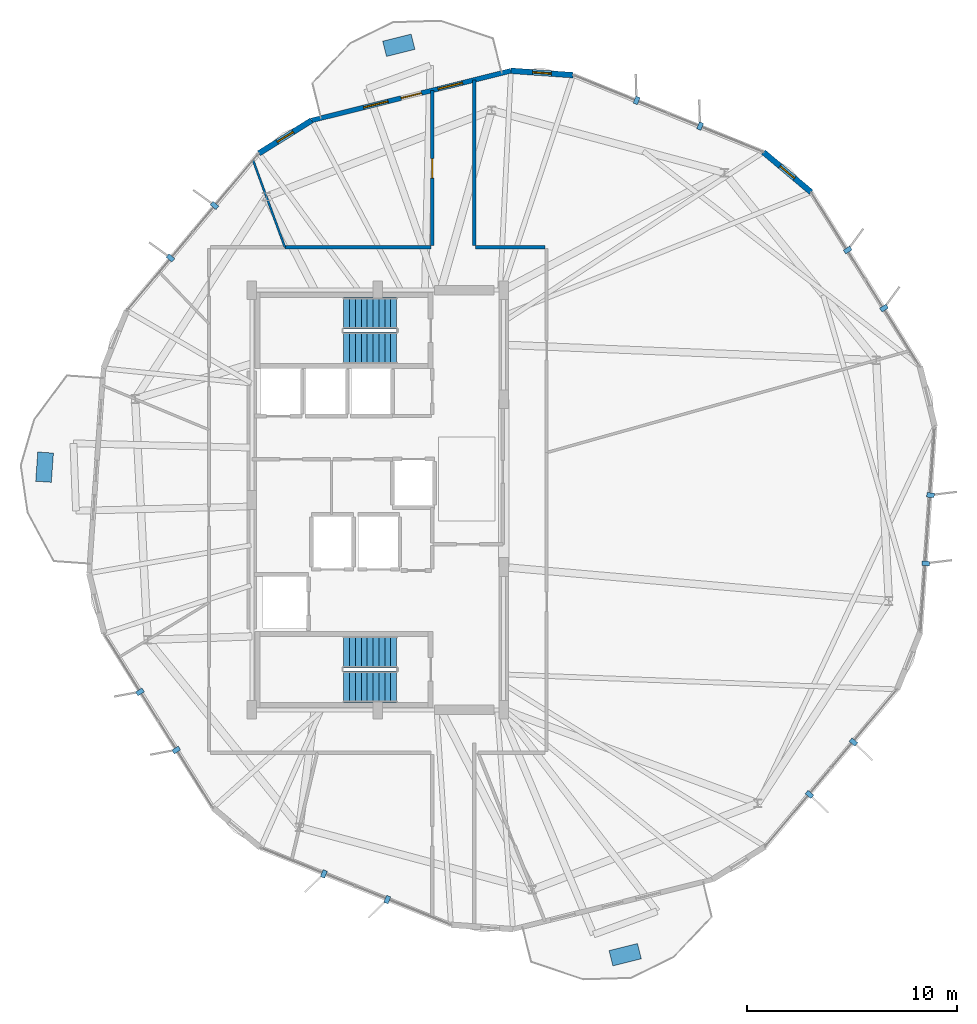
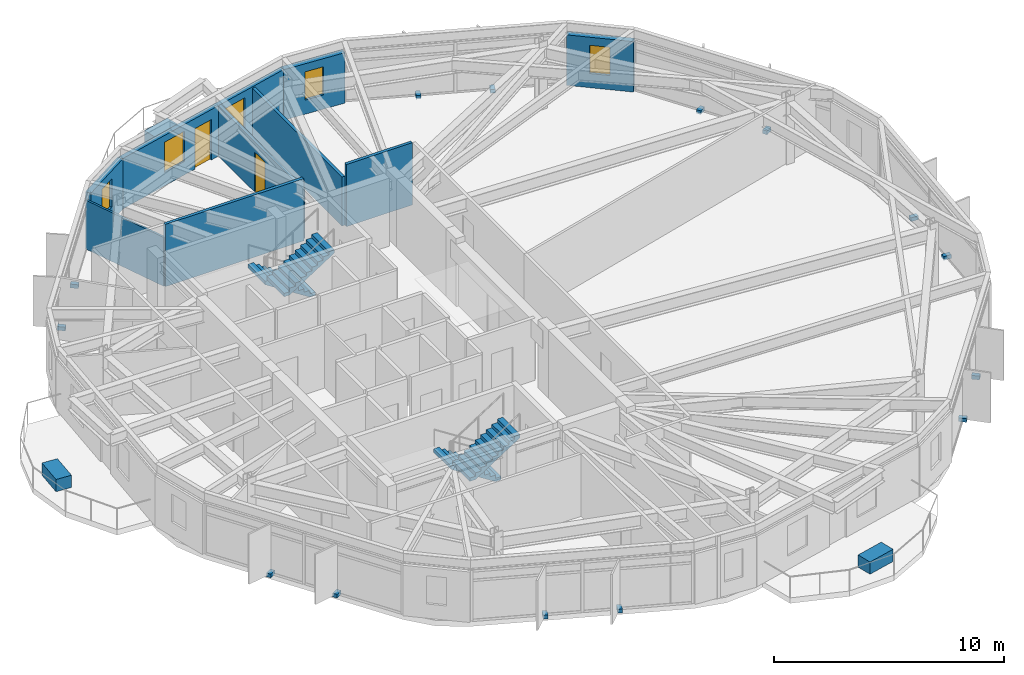
# One storey, part 20 of 23: 17 discrete accessories, 9 walls, 5 windows, 4 stair flights, 2 doors, 7 openings, 2 elements without a shape of their own.
"""IFC4 building model written with IfcOpenShell, lengths in metres."""

from ifc_helpers import new_model, si_unit, direction, frame, frame_2d, origin, origin_2d, place, context, subcontext, project, spatial, polyline, rectangle, outline, extrude, material, layer, layer_set, type_object, element, fill, aggregate, save


model = new_model("IFC4")

# Units and contexts
model_context = context("Model", 3, precision=1e-05, world=origin(), true_north=direction((0.0, 1.0)))
body_context = subcontext(model_context, "Body", "Model", "MODEL_VIEW")
ifc_project = project(units=[si_unit("LENGTHUNIT", "METRE"), si_unit("AREAUNIT", "SQUARE_METRE"), si_unit("VOLUMEUNIT", "CUBIC_METRE"), si_unit("PLANEANGLEUNIT", "RADIAN"), si_unit("MASSUNIT", "GRAM", prefix="KILO")], contexts=[model_context])

# Site, building, storey
site_placement = place(None, origin())
site = spatial("IfcSite", under=ifc_project, at=site_placement, CompositionType="ELEMENT")
building_placement = place(site_placement, origin())
building = spatial("IfcBuilding", under=site, at=building_placement, Name="Soratama Intermodal Tower", CompositionType="ELEMENT")
storey_placement = place(building_placement, frame((0.0, 0.0, 215.800048828125)))
storey = spatial("IfcBuildingStorey", under=building, at=storey_placement, Name="L54", CompositionType="ELEMENT", Elevation=215.800048828125)

# Wall, openings, door, windows
ifc_material_1 = material(Name="Concrete f'c 42 MPa", Category="concrete")
ifc_layer_1 = layer(ifc_material_1, 0.22998046875)
ifc_layer_set_1 = layer_set([ifc_layer_1], Name="Concrete f'c 42 MPa")
wall_type_1 = type_object("IfcWallType", Name="EW-BAL-230", PredefinedType="SOLIDWALL", material=ifc_layer_set_1)
wall_1_placement = place(storey_placement, frame((44.950927734375, 45.460205078125, 0.0), z_axis=(0.0, 0.0, 1.0), x_axis=(-0.970379664845, -0.241584987229, 0.0)))
wall_1 = element("IfcWall", 1, at=wall_1_placement, inside=storey, type_object=wall_type_1, Name="L54 Terrace Wall F02", PredefinedType="SOLIDWALL", context=body_context, shape_type="SweptSolid", body=[
    extrude(rectangle(XDim=9.79052734375, YDim=0.22998046875, at=frame_2d((4.895263671875, 0.0))), origin(), (0.0, 0.0, 1.0), 2.678955078125),
])
opening_1_placement = place(wall_1_placement, frame((4.395263671875, 0.0, 0.0)))
opening_1 = element("IfcOpeningElement", 2, at=opening_1_placement, cuts=wall_1, Name="Opening ED-2", PredefinedType="OPENING", context=body_context, shape_type="SweptSolid", body=[
    extrude(rectangle(XDim=1.0, YDim=2.14990234375, at=frame_2d((0.5, 1.074951171875))), frame((0.0, 0.125, 0.0), z_axis=(0.0, -1.0, 0.0), x_axis=(1.0, 0.0, 0.0)), (0.0, 0.0, 1.0), 0.25),
])
opening_2_placement = place(wall_1_placement, frame((2.37890625, 0.0, 0.719970703125)))
opening_2 = element("IfcOpeningElement", 3, at=opening_2_placement, cuts=wall_1, Name="Opening WN-2", PredefinedType="OPENING", context=body_context, shape_type="SweptSolid", body=[
    extrude(rectangle(XDim=1.199951171875, YDim=1.60009765625, at=frame_2d((0.60009765625, 0.800048828125))), frame((0.0, 0.125, 0.0), z_axis=(0.0, -1.0, 0.0), x_axis=(1.0, 0.0, 0.0)), (0.0, 0.0, 1.0), 0.25),
])
opening_3_placement = place(wall_1_placement, frame((6.03515625, 0.0, 0.719970703125)))
opening_3 = element("IfcOpeningElement", 4, at=opening_3_placement, cuts=wall_1, Name="Opening WN-2", PredefinedType="OPENING", context=body_context, shape_type="SweptSolid", body=[
    extrude(rectangle(XDim=1.199951171875, YDim=1.60009765625, at=frame_2d((0.60009765625, 0.800048828125))), frame((0.0, 0.125, 0.0), z_axis=(0.0, -1.0, 0.0), x_axis=(1.0, 0.0, 0.0)), (0.0, 0.0, 1.0), 0.25),
])
ifc_material_2 = material(Name="Double-glazed aluminium door", Category="aluminium")
door_type_1 = type_object("IfcDoorType", Name="DR-BAL-1000", OperationType="NOTDEFINED", PredefinedType="DOOR", material=ifc_material_2)
door_1_placement = place(opening_1_placement, origin())
door_1 = element("IfcDoor", 5, at=door_1_placement, inside=storey, type_object=door_type_1, Name="L54 Balcony Door F02", OperationType="SINGLE_SWING_RIGHT", OverallHeight=2.14990234375, OverallWidth=1.0, PredefinedType="DOOR", context=body_context, shape_type="SweptSolid", body=[
    extrude(rectangle(XDim=1.0, YDim=2.14990234375, at=frame_2d((0.5, 1.074951171875))), frame((0.0, 0.02490234375, 0.0), z_axis=(0.0, -1.0, 0.0), x_axis=(1.0, 0.0, 0.0)), (0.0, 0.0, 1.0), 0.050048828125),
])
fill(opening_1, door_1)
ifc_material_3 = material(Name="Double-glazed aluminium window", Category="aluminium")
window_type_1 = type_object("IfcWindowType", Name="WN-FAC-1200", PartitioningType="SINGLE_PANEL", PredefinedType="WINDOW", material=ifc_material_3)
window_1_placement = place(opening_2_placement, origin())
window_1 = element("IfcWindow", 6, at=window_1_placement, inside=storey, type_object=window_type_1, Name="L54 Window A F02", OverallHeight=1.60009765625, OverallWidth=1.199951171875, PartitioningType="SINGLE_PANEL", PredefinedType="WINDOW", context=body_context, shape_type="SweptSolid", body=[
    extrude(rectangle(XDim=1.199951171875, YDim=1.60009765625, at=frame_2d((0.60009765625, 0.800048828125))), frame((0.0, 0.030029296875, 0.0), z_axis=(0.0, -1.0, 0.0), x_axis=(1.0, 0.0, 0.0)), (0.0, 0.0, 1.0), 0.06005859375),
])
fill(opening_2, window_1)
window_2_placement = place(opening_3_placement, origin())
window_2 = element("IfcWindow", 7, at=window_2_placement, inside=storey, type_object=window_type_1, Name="L54 Window B F02", OverallHeight=1.60009765625, OverallWidth=1.199951171875, PartitioningType="SINGLE_PANEL", PredefinedType="WINDOW", context=body_context, shape_type="SweptSolid", body=[
    extrude(rectangle(XDim=1.199951171875, YDim=1.60009765625, at=frame_2d((0.60009765625, 0.800048828125))), frame((0.0, 0.030029296875, 0.0), z_axis=(0.0, -1.0, 0.0), x_axis=(1.0, 0.0, 0.0)), (0.0, 0.0, 1.0), 0.06005859375),
])
fill(opening_3, window_2)

# Wall, opening, window
ifc_material_4 = material(Name="Concrete f'c 42 MPa", Category="concrete")
ifc_layer_2 = layer(ifc_material_4, 0.27001953125)
ifc_layer_set_2 = layer_set([ifc_layer_2], Name="Concrete f'c 42 MPa")
wall_type_2 = type_object("IfcWallType", Name="EW-CRN-270", PredefinedType="SOLIDWALL", material=ifc_layer_set_2)
wall_2_placement = place(storey_placement, frame((47.91015625, 45.252197265625, 0.0), z_axis=(0.0, 0.0, 1.0), x_axis=(-0.997538688481, 0.070118221482, 0.0)))
wall_2 = element("IfcWall", 8, at=wall_2_placement, inside=storey, type_object=wall_type_2, Name="L54 Corner Closure Wall 01", PredefinedType="SOLIDWALL", context=body_context, shape_type="SweptSolid", body=[
    extrude(rectangle(XDim=2.966552734375, YDim=0.27001953125, at=frame_2d((1.4833984375, 0.0))), origin(), (0.0, 0.0, 1.0), 2.678955078125),
])
opening_4_placement = place(wall_2_placement, frame((1.033203125, 0.0, 0.75)))
opening_4 = element("IfcOpeningElement", 9, at=opening_4_placement, cuts=wall_2, Name="Opening WN-6", PredefinedType="OPENING", context=body_context, shape_type="SweptSolid", body=[
    extrude(rectangle(XDim=0.89990234375, YDim=1.5, at=frame_2d((0.449951171875, 0.75))), frame((0.0, 0.14501953125, 0.0), z_axis=(0.0, -1.0, 0.0), x_axis=(1.0, 0.0, 0.0)), (0.0, 0.0, 1.0), 0.2900390625),
])
ifc_material_5 = material(Name="Double-glazed aluminium window", Category="aluminium")
window_type_2 = type_object("IfcWindowType", Name="WN-FAC-900", PartitioningType="SINGLE_PANEL", PredefinedType="WINDOW", material=ifc_material_5)
window_3_placement = place(opening_4_placement, origin())
window_3 = element("IfcWindow", 10, at=window_3_placement, inside=storey, type_object=window_type_2, Name="L54 Corner Window 01", OverallHeight=1.5, OverallWidth=0.89990234375, PartitioningType="SINGLE_PANEL", PredefinedType="WINDOW", context=body_context, shape_type="SweptSolid", body=[
    extrude(rectangle(XDim=0.89990234375, YDim=1.5, at=frame_2d((0.449951171875, 0.75))), frame((0.0, 0.030029296875, 0.0), z_axis=(0.0, -1.0, 0.0), x_axis=(1.0, 0.0, 0.0)), (0.0, 0.0, 1.0), 0.06005859375),
])
fill(opening_4, window_3)

wall_3_placement = place(storey_placement, frame((35.450439453125, 43.094970703125, 0.0), z_axis=(0.0, 0.0, 1.0), x_axis=(-0.848215528767, -0.529651221805, 0.0)))
wall_3 = element("IfcWall", 11, at=wall_3_placement, inside=storey, type_object=wall_type_2, Name="L54 Corner Closure Wall 02", PredefinedType="SOLIDWALL", context=body_context, shape_type="SweptSolid", body=[
    extrude(rectangle(XDim=2.966552734375, YDim=0.27001953125, at=frame_2d((1.4833984375, 0.0))), origin(), (0.0, 0.0, 1.0), 2.678955078125),
])
opening_5_placement = place(wall_3_placement, frame((1.033203125, 0.0, 0.75)))
opening_5 = element("IfcOpeningElement", 12, at=opening_5_placement, cuts=wall_3, Name="Opening WN-6", PredefinedType="OPENING", context=body_context, shape_type="SweptSolid", body=[
    extrude(rectangle(XDim=0.89990234375, YDim=1.5, at=frame_2d((0.449951171875, 0.75))), frame((0.0, 0.14501953125, 0.0), z_axis=(0.0, -1.0, 0.0), x_axis=(1.0, 0.0, 0.0)), (0.0, 0.0, 1.0), 0.2900390625),
])
window_4_placement = place(opening_5_placement, origin())
window_4 = element("IfcWindow", 13, at=window_4_placement, inside=storey, type_object=window_type_2, Name="L54 Corner Window 02", OverallHeight=1.5, OverallWidth=0.89990234375, PartitioningType="SINGLE_PANEL", PredefinedType="WINDOW", context=body_context, shape_type="SweptSolid", body=[
    extrude(rectangle(XDim=0.89990234375, YDim=1.5, at=frame_2d((0.449951171875, 0.75))), frame((0.0, 0.030029296875, 0.0), z_axis=(0.0, -1.0, 0.0), x_axis=(1.0, 0.0, 0.0)), (0.0, 0.0, 1.0), 0.06005859375),
])
fill(opening_5, window_4)

wall_4_placement = place(storey_placement, frame((59.25830078125, 39.673828125, 0.0), z_axis=(0.0, 0.0, 1.0), x_axis=(-0.765834558383, 0.643037657673, 0.0)))
wall_4 = element("IfcWall", 14, at=wall_4_placement, inside=storey, type_object=wall_type_2, Name="L54 Corner Closure Wall 10", PredefinedType="SOLIDWALL", context=body_context, shape_type="SweptSolid", body=[
    extrude(rectangle(XDim=2.96630859375, YDim=0.27001953125, at=frame_2d((1.483154296875, 0.0))), origin(), (0.0, 0.0, 1.0), 2.678955078125),
])
opening_6_placement = place(wall_4_placement, frame((1.033203125, 0.0, 0.75)))
opening_6 = element("IfcOpeningElement", 15, at=opening_6_placement, cuts=wall_4, Name="Opening WN-6", PredefinedType="OPENING", context=body_context, shape_type="SweptSolid", body=[
    extrude(rectangle(XDim=0.89990234375, YDim=1.5, at=frame_2d((0.449951171875, 0.75))), frame((0.0, 0.14501953125, 0.0), z_axis=(0.0, -1.0, 0.0), x_axis=(1.0, 0.0, 0.0)), (0.0, 0.0, 1.0), 0.2900390625),
])
window_5_placement = place(opening_6_placement, origin())
window_5 = element("IfcWindow", 16, at=window_5_placement, inside=storey, type_object=window_type_2, Name="L54 Corner Window 10", OverallHeight=1.5, OverallWidth=0.89990234375, PartitioningType="SINGLE_PANEL", PredefinedType="WINDOW", context=body_context, shape_type="SweptSolid", body=[
    extrude(rectangle(XDim=0.89990234375, YDim=1.5, at=frame_2d((0.449951171875, 0.75))), frame((0.0, 0.030029296875, 0.0), z_axis=(0.0, -1.0, 0.0), x_axis=(1.0, 0.0, 0.0)), (0.0, 0.0, 1.0), 0.06005859375),
])
fill(opening_6, window_5)

# Wall
ifc_material_6 = material(Name="Fire-rated gypsum stud partition", Category="concrete")
ifc_layer_3 = layer(ifc_material_6, 0.14990234375)
ifc_layer_set_3 = layer_set([ifc_layer_3], Name="Fire-rated gypsum stud partition")
wall_type_3 = type_object("IfcWallType", Name="IW-PART-R150", PredefinedType="PARTITIONING", material=ifc_layer_set_3)
wall_5_placement = place(storey_placement, frame((43.199951171875, 45.02392578125, 0.0), z_axis=(0.0, 0.0, 1.0), x_axis=(0.0, -1.0, 0.0)))
element("IfcWall", 17, at=wall_5_placement, inside=storey, type_object=wall_type_3, Name="L54 Partition W-L54-TP006", PredefinedType="PARTITIONING", context=body_context, shape_type="SweptSolid", body=[
    extrude(rectangle(XDim=7.90380859375, YDim=0.14990234375, at=frame_2d((3.951904296875, 0.0))), origin(), (0.0, 0.0, 1.0), 2.594970703125),
])

# Wall, opening, door
wall_6_placement = place(storey_placement, frame((41.199951171875, 37.1201171875, 0.0), z_axis=(0.0, 0.0, 1.0), x_axis=(0.0, 1.0, 0.0)))
wall_6 = element("IfcWall", 18, at=wall_6_placement, inside=storey, type_object=wall_type_3, Name="L54 Partition W-L54-TP008", PredefinedType="PARTITIONING", context=body_context, shape_type="SweptSolid", body=[
    extrude(rectangle(XDim=7.40576171875, YDim=0.14990234375, at=frame_2d((3.702880859375, 0.0))), origin(), (0.0, 0.0, 1.0), 2.674072265625),
])
opening_7_placement = place(wall_6_placement, frame((3.22802734375, 0.0, 0.0)))
opening_7 = element("IfcOpeningElement", 19, at=opening_7_placement, cuts=wall_6, Name="Opening ID-6", PredefinedType="OPENING", context=body_context, shape_type="SweptSolid", body=[
    extrude(rectangle(XDim=0.919921875, YDim=2.1201171875, at=frame_2d((0.4599609375, 1.06005859375))), frame((0.0, 0.0849609375, 0.0), z_axis=(0.0, -1.0, 0.0), x_axis=(1.0, 0.0, 0.0)), (0.0, 0.0, 1.0), 0.169921875),
])
ifc_material_7 = material(Name="Solid hardwood acoustic door", Category="wood")
door_type_2 = type_object("IfcDoorType", Name="DR-ROOM-920", OperationType="NOTDEFINED", PredefinedType="DOOR", material=ifc_material_7)
door_2_placement = place(opening_7_placement, origin())
door_2 = element("IfcDoor", 20, at=door_2_placement, inside=storey, type_object=door_type_2, Name="L54 Door D-L54-TP005", OperationType="SINGLE_SWING_RIGHT", OverallHeight=2.1201171875, OverallWidth=0.919921875, PredefinedType="DOOR", context=body_context, shape_type="SweptSolid", body=[
    extrude(rectangle(XDim=0.919921875, YDim=2.1201171875, at=frame_2d((0.4599609375, 1.06005859375))), frame((0.0, 0.02490234375, 0.0), z_axis=(0.0, -1.0, 0.0), x_axis=(1.0, 0.0, 0.0)), (0.0, 0.0, 1.0), 0.050048828125),
])
fill(opening_7, door_2)

# Walls
wall_7_placement = place(storey_placement, frame((34.177001953125, 37.050048828125, 0.0), z_axis=(0.0, 0.0, 1.0), x_axis=(1.0, 0.0, 0.0)))
element("IfcWall", 21, at=wall_7_placement, inside=storey, type_object=wall_type_3, Name="L54 Partition W-L54-TP010", PredefinedType="PARTITIONING", context=body_context, shape_type="SweptSolid", body=[
    extrude(rectangle(XDim=6.952880859375, YDim=0.14990234375, at=frame_2d((3.4765625, 0.0))), origin(), (0.0, 0.0, 1.0), 3.300048828125),
])
wall_8_placement = place(storey_placement, frame((43.27001953125, 37.050048828125, 0.0), z_axis=(0.0, 0.0, 1.0), x_axis=(1.0, 0.0, 0.0)))
element("IfcWall", 22, at=wall_8_placement, inside=storey, type_object=wall_type_3, Name="L54 Partition W-L54-TP024", PredefinedType="PARTITIONING", context=body_context, shape_type="SweptSolid", body=[
    extrude(rectangle(XDim=3.31005859375, YDim=0.14990234375, at=frame_2d((1.655029296875, 0.0))), origin(), (0.0, 0.0, 1.0), 3.300048828125),
])
ifc_material_8 = material(Name="Fire-rated gypsum stud partition", Category="concrete")
ifc_layer_4 = layer(ifc_material_8, 0.10009765625)
ifc_layer_set_4 = layer_set([ifc_layer_4], Name="Fire-rated gypsum stud partition")
wall_type_4 = type_object("IfcWallType", Name="IW-PART-S100", PredefinedType="PARTITIONING", material=ifc_layer_set_4)
wall_9_placement = place(storey_placement, frame((34.177001953125, 37.050048828125, 0.0), z_axis=(0.0, 0.0, 1.0), x_axis=(-0.3443619088, 0.9388369804, 0.0)))
element("IfcWall", 23, at=wall_9_placement, inside=storey, type_object=wall_type_4, Name="L54 Partition W-L54-TP018", PredefinedType="PARTITIONING", context=body_context, shape_type="SweptSolid", body=[
    extrude(rectangle(XDim=4.4140625, YDim=0.10009765625, at=frame_2d((2.20703125, 0.0))), origin(), (0.0, 0.0, 1.0), 2.594970703125),
])

# Stair, stair flights
ifc_material_9 = material(Name="Concrete f'c 42 MPa", Category="concrete")
stair_type = type_object("IfcStairType", Name="ST-CORE-DOGLEG", PredefinedType="HALF_TURN_STAIR", material=ifc_material_9)
stair_1_placement = place(storey_placement, origin())
stair_1 = element("IfcStair", 24, at=stair_1_placement, inside=storey, type_object=stair_type, Name="L54 ST-1", PredefinedType="HALF_TURN_STAIR")
ifc_material_10 = material(Name="Precast concrete f'c 40 MPa", Category="concrete")
ifc_layer_5 = layer(ifc_material_10, 0.199951171875)
ifc_layer_set_5 = layer_set([ifc_layer_5], Name="Precast concrete f'c 40 MPa")
stair_flight_type = type_object("IfcStairFlightType", Name="SF-FLIGHT-RC", PredefinedType="STRAIGHT", material=ifc_layer_set_5)
stair_flight_1_placement = place(storey_placement, frame((39.5, 17.75, 0.0), z_axis=(0.0, 0.0, 1.0), x_axis=(-1.0, 0.0, 0.0)))
stair_flight_1 = element("IfcStairFlight", 25, at=stair_flight_1_placement, type_object=stair_flight_type, Name="ST-1 flight 1", NumberOfRisers=10, NumberOfTreads=9, PredefinedType="STRAIGHT", RiserHeight=0.18, TreadLength=0.28, context=body_context, shape_type="SweptSolid", body=[
    extrude(outline(polyline([(0.0, 0.0), (0.0, 0.179931640625), (0.280029296875, 0.179931640625), (0.280029296875, 0.360107421875), (0.56005859375, 0.360107421875), (0.56005859375, 0.5400390625), (0.840087890625, 0.5400390625), (0.840087890625, 0.719970703125), (1.1201171875, 0.719970703125), (1.1201171875, 0.89990234375), (1.39990234375, 0.89990234375), (1.39990234375, 1.080078125), (1.679931640625, 1.080078125), (1.679931640625, 1.260009765625), (1.9599609375, 1.260009765625), (1.9599609375, 1.43994140625), (2.239990234375, 1.43994140625), (2.239990234375, 1.6201171875), (2.52001953125, 1.6201171875), (2.52001953125, 1.800048828125), (2.52001953125, 1.44189453125), (0.277099609375, 0.0), (0.0, 0.0)])), frame((0.0, 0.75, 0.0), z_axis=(0.0, -1.0, 0.0), x_axis=(1.0, 0.0, 0.0)), (0.0, 0.0, 1.0), 1.5),
])
stair_flight_2_placement = place(storey_placement, frame((36.97998046875, 16.10009765625, 1.800048828125), z_axis=(0.0, 0.0, 1.0), x_axis=(1.0, 0.0, 0.0)))
stair_flight_2 = element("IfcStairFlight", 26, at=stair_flight_2_placement, type_object=stair_flight_type, Name="ST-1 flight 2", NumberOfRisers=10, NumberOfTreads=9, PredefinedType="STRAIGHT", RiserHeight=0.18, TreadLength=0.28, context=body_context, shape_type="SweptSolid", body=[
    extrude(outline(polyline([(0.0, 0.0), (0.0, 0.179931640625), (0.280029296875, 0.179931640625), (0.280029296875, 0.360107421875), (0.56005859375, 0.360107421875), (0.56005859375, 0.5400390625), (0.840087890625, 0.5400390625), (0.840087890625, 0.719970703125), (1.1201171875, 0.719970703125), (1.1201171875, 0.89990234375), (1.39990234375, 0.89990234375), (1.39990234375, 1.080078125), (1.679931640625, 1.080078125), (1.679931640625, 1.260009765625), (1.9599609375, 1.260009765625), (1.9599609375, 1.43994140625), (2.239990234375, 1.43994140625), (2.239990234375, 1.6201171875), (2.52001953125, 1.6201171875), (2.52001953125, 1.800048828125), (2.52001953125, 1.44189453125), (0.277099609375, 0.0), (0.0, 0.0)])), frame((0.0, 0.75, 0.0), z_axis=(0.0, -1.0, 0.0), x_axis=(1.0, 0.0, 0.0)), (0.0, 0.0, 1.0), 1.5),
])
aggregate(stair_1, [stair_flight_1, stair_flight_2])

stair_2_placement = place(storey_placement, origin())
stair_2 = element("IfcStair", 27, at=stair_2_placement, inside=storey, type_object=stair_type, Name="L54 ST-2", PredefinedType="HALF_TURN_STAIR")
stair_flight_3_placement = place(storey_placement, frame((39.5, 33.89990234375, 0.0), z_axis=(0.0, 0.0, 1.0), x_axis=(-1.0, 0.0, 0.0)))
stair_flight_3 = element("IfcStairFlight", 28, at=stair_flight_3_placement, type_object=stair_flight_type, Name="ST-2 flight 1", NumberOfRisers=10, NumberOfTreads=9, PredefinedType="STRAIGHT", RiserHeight=0.18, TreadLength=0.28, context=body_context, shape_type="SweptSolid", body=[
    extrude(outline(polyline([(0.0, 0.0), (0.0, 0.179931640625), (0.280029296875, 0.179931640625), (0.280029296875, 0.360107421875), (0.56005859375, 0.360107421875), (0.56005859375, 0.5400390625), (0.840087890625, 0.5400390625), (0.840087890625, 0.719970703125), (1.1201171875, 0.719970703125), (1.1201171875, 0.89990234375), (1.39990234375, 0.89990234375), (1.39990234375, 1.080078125), (1.679931640625, 1.080078125), (1.679931640625, 1.260009765625), (1.9599609375, 1.260009765625), (1.9599609375, 1.43994140625), (2.239990234375, 1.43994140625), (2.239990234375, 1.6201171875), (2.52001953125, 1.6201171875), (2.52001953125, 1.800048828125), (2.52001953125, 1.44189453125), (0.277099609375, 0.0), (0.0, 0.0)])), frame((0.0, 0.75, 0.0), z_axis=(0.0, -1.0, 0.0), x_axis=(1.0, 0.0, 0.0)), (0.0, 0.0, 1.0), 1.5),
])
stair_flight_4_placement = place(storey_placement, frame((36.97998046875, 32.25, 1.800048828125), z_axis=(0.0, 0.0, 1.0), x_axis=(1.0, 0.0, 0.0)))
stair_flight_4 = element("IfcStairFlight", 29, at=stair_flight_4_placement, type_object=stair_flight_type, Name="ST-2 flight 2", NumberOfRisers=10, NumberOfTreads=9, PredefinedType="STRAIGHT", RiserHeight=0.18, TreadLength=0.28, context=body_context, shape_type="SweptSolid", body=[
    extrude(outline(polyline([(0.0, 0.0), (0.0, 0.179931640625), (0.280029296875, 0.179931640625), (0.280029296875, 0.360107421875), (0.56005859375, 0.360107421875), (0.56005859375, 0.5400390625), (0.840087890625, 0.5400390625), (0.840087890625, 0.719970703125), (1.1201171875, 0.719970703125), (1.1201171875, 0.89990234375), (1.39990234375, 0.89990234375), (1.39990234375, 1.080078125), (1.679931640625, 1.080078125), (1.679931640625, 1.260009765625), (1.9599609375, 1.260009765625), (1.9599609375, 1.43994140625), (2.239990234375, 1.43994140625), (2.239990234375, 1.6201171875), (2.52001953125, 1.6201171875), (2.52001953125, 1.800048828125), (2.52001953125, 1.44189453125), (0.277099609375, 0.0), (0.0, 0.0)])), frame((0.0, 0.75, 0.0), z_axis=(0.0, -1.0, 0.0), x_axis=(1.0, 0.0, 0.0)), (0.0, 0.0, 1.0), 1.5),
])
aggregate(stair_2, [stair_flight_3, stair_flight_4])

# Discrete accessories
ifc_material_11 = material(Name="Structural steel ASTM A992 Grade 50", Category="steel")
discrete_accessory_type_1 = type_object("IfcDiscreteAccessoryType", Name="AC-FIN-BRACKET", PredefinedType="BRACKET", material=ifc_material_11)
for number, where, z_axis, x_axis, name in (
    (30, (53.968505859375, 42.823486328125, -0.080078125), (0.0, 0.0, 1.0), (0.374930218808, 0.927053035713, 0.0), "L54 Fin Bracket F01-1"),
    (31, (50.943115234375, 44.047119140625, -0.080078125), (0.0, 0.0, 1.0), (0.374930218808, 0.927053035713, 0.0), "L54 Fin Bracket F01-2"),
    (32, (30.8203125, 39.037353515625, -0.080078125), (0.0, 0.0, 1.0), (-0.76582002125, 0.643054970475, 0.0), "L54 Fin Bracket F03-1"),
    (33, (28.7216796875, 36.5380859375, -0.080078125), (0.0, 0.0, 1.0), (-0.76582002125, 0.643054970475, 0.0), "L54 Fin Bracket F03-2"),
    (34, (27.267822265625, 15.85205078125, -0.080078125), (0.0, 0.0, 1.0), (-0.848233021205, -0.529623207325, 0.0), "L54 Fin Bracket F05-1"),
    (35, (28.996337890625, 13.083740234375, -0.080078125), (0.0, 0.0, 1.0), (-0.848233021205, -0.529623207325, 0.0), "L54 Fin Bracket F05-2"),
    (36, (36.031494140625, 7.176513671875, -0.080078125), (0.0, 0.0, 1.0), (-0.374930218808, -0.927053035713, 0.0), "L54 Fin Bracket F06-1"),
    (37, (39.056884765625, 5.952880859375, -0.080078125), (0.0, 0.0, 1.0), (-0.374930218808, -0.927053035713, 0.0), "L54 Fin Bracket F06-2"),
    (38, (59.1796875, 10.962646484375, -0.080078125), (0.0, 0.0, 1.0), (0.76582002125, -0.643054970475, 0.0), "L54 Fin Bracket F08-1"),
    (39, (61.2783203125, 13.4619140625, -0.080078125), (0.0, 0.0, 1.0), (0.76582002125, -0.643054970475, 0.0), "L54 Fin Bracket F08-2"),
    (40, (64.72265625, 21.978271484375, -0.080078125), (0.0, 0.0, 1.0), (0.997539639882, -0.070104685031, 0.0), "L54 Fin Bracket F09-1"),
    (41, (64.951416015625, 25.233642578125, -0.080078125), (0.0, 0.0, 1.0), (0.997539639882, -0.070104685031, 0.0), "L54 Fin Bracket F09-2"),
    (42, (62.732177734375, 34.14794921875, -0.080078125), (0.0, 0.0, 1.0), (0.848233021205, 0.529623207325, 0.0), "L54 Fin Bracket F10-1"),
    (43, (61.003662109375, 36.916259765625, -0.080078125), (0.0, 0.0, 1.0), (0.848233021205, 0.529623207325, 0.0), "L54 Fin Bracket F10-2"),
):
    element("IfcDiscreteAccessory", number, at=place(storey_placement, frame(where, z_axis=z_axis, x_axis=x_axis)), inside=storey, type_object=discrete_accessory_type_1, Name=name, PredefinedType="BRACKET", context=body_context, shape_type="SweptSolid", body=[
        extrude(rectangle(XDim=0.360107421875, YDim=0.219970703125, at=origin_2d()), origin(), (0.0, 0.0, 1.0), 0.199951171875),
    ])
ifc_material_12 = material(Name="Precast concrete f'c 40 MPa", Category="concrete")
discrete_accessory_type_2 = type_object("IfcDiscreteAccessoryType", Name="AC-PLANTER-TREE", PredefinedType="USERDEFINED", material=ifc_material_12)
for number, where, z_axis, x_axis, name in (
    (44, (39.60400390625, 46.67431640625, 0.0), (0.0, 0.0, 1.0), (-0.241583183765, 0.970380113833, 0.0), "L54 Tree Planter 1"),
    (45, (22.718994140625, 26.56591796875, 0.0), (0.0, 0.0, 1.0), (-0.997539639882, 0.070104685031, 0.0), "L54 Tree Planter 2"),
    (46, (50.39599609375, 3.32568359375, 0.0), (0.0, 0.0, 1.0), (0.241583183765, -0.970380113833, 0.0), "L54 Tree Planter 3"),
):
    element("IfcDiscreteAccessory", number, at=place(storey_placement, frame(where, z_axis=z_axis, x_axis=x_axis)), inside=storey, type_object=discrete_accessory_type_2, Name=name, ObjectType="PLANTER", PredefinedType="USERDEFINED", context=body_context, shape_type="SweptSolid", body=[
        extrude(rectangle(XDim=0.75, YDim=1.39990234375, at=origin_2d()), origin(), (0.0, 0.0, 1.0), 0.64990234375),
    ])

save(model, "model.ifc")
